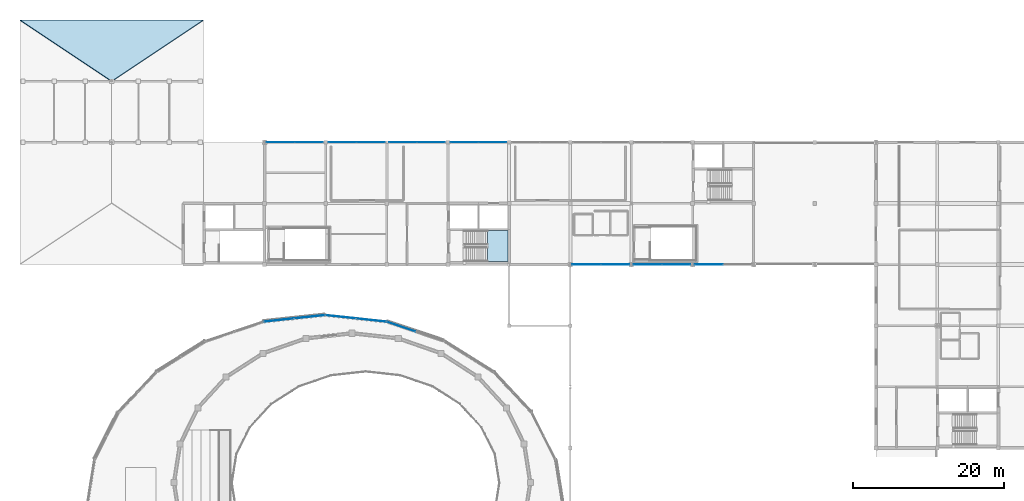
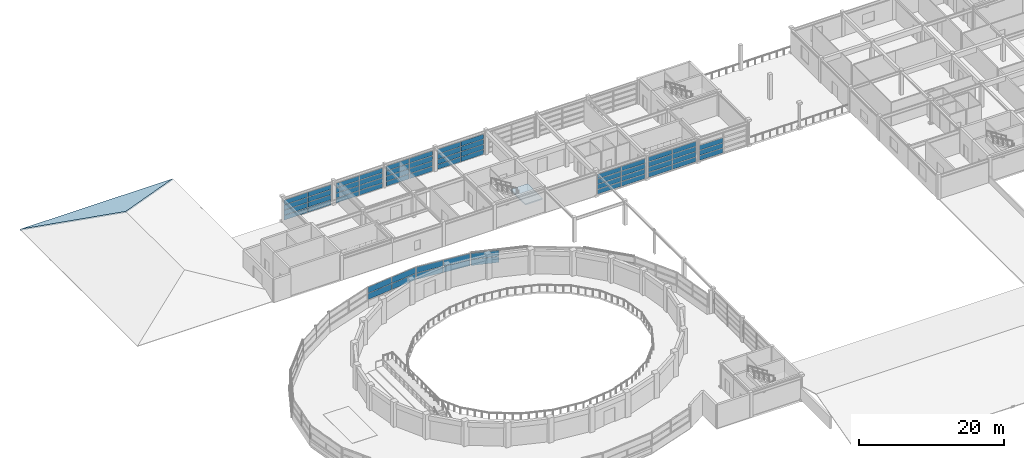
# One storey, part 37 of 54: 61 plates, 2 slabs, 11 elements without a shape of their own.
"""IFC4 building model written with IfcOpenShell, lengths in metres."""

from ifc_helpers import new_model, si_unit, direction, frame, origin, origin_2d, place, context, subcontext, project, spatial, polyline, rectangle, outline, extrude, material, layer, layer_set, type_object, element, aggregate, save


model = new_model("IFC4")

# Units and contexts
model_context = context("Model", 3, precision=1e-05, world=origin(), true_north=direction((0.0, 1.0)))
body_context = subcontext(model_context, "Body", "Model", "MODEL_VIEW")
ifc_project = project(units=[si_unit("LENGTHUNIT", "METRE"), si_unit("AREAUNIT", "SQUARE_METRE"), si_unit("VOLUMEUNIT", "CUBIC_METRE"), si_unit("PLANEANGLEUNIT", "RADIAN"), si_unit("MASSUNIT", "GRAM", prefix="KILO")], contexts=[model_context])

# Site, building, storey
site_placement = place(None, origin())
site = spatial("IfcSite", under=ifc_project, at=site_placement, CompositionType="ELEMENT")
building_placement = place(site_placement, origin())
building = spatial("IfcBuilding", under=site, at=building_placement, Name="Parian Resonance Hall", CompositionType="ELEMENT")
storey_placement = place(building_placement, frame((0.0, 0.0, 15.0)))
storey = spatial("IfcBuildingStorey", under=building, at=storey_placement, Name="L03", CompositionType="ELEMENT", Elevation=15.0)

# Curtain wall, plates
ifc_material_1 = material(Name="Bronze-anodised aluminium frame", Category="aluminium")
curtain_wall_type_1 = type_object("IfcCurtainWallType", Name="CW-SYS-01", PredefinedType="NOTDEFINED", material=ifc_material_1)
curtain_wall_1_placement = place(storey_placement, origin())
curtain_wall_1 = element("IfcCurtainWall", 1, at=curtain_wall_1_placement, inside=storey, type_object=curtain_wall_type_1, Name="Elliptical R3 recessed strip curtain wall 05", PredefinedType="NOTDEFINED")
ifc_material_2 = material(Name="Acoustic laminated double glazing", Category="glass")
ifc_layer_1 = layer(ifc_material_2, 0.02197265625)
ifc_layer_set_1 = layer_set([ifc_layer_1], Name="Acoustic laminated double glazing")
plate_type_1 = type_object("IfcPlateType", Name="CWP-IGU22", PredefinedType="CURTAIN_PANEL", material=ifc_layer_set_1)
plate_1_placement = place(storey_placement, frame((50.49951171875, 64.67138671875, 1.2568359375), z_axis=(0.0, 0.0, 1.0), x_axis=(0.947295844239, -0.320360084104, 0.0)))
plate_1 = element("IfcPlate", 2, at=plate_1_placement, type_object=plate_type_1, Name="CW-01 panel 1.1", PredefinedType="CURTAIN_PANEL", context=body_context, shape_type="SweptSolid", body=[
    extrude(rectangle(XDim=3.925048828125, YDim=0.02197265625, at=origin_2d()), origin(), (0.0, 0.0, 1.0), 1.010498046875),
])
plate_2_placement = place(storey_placement, frame((50.49951171875, 64.67138671875, 2.33251953125), z_axis=(0.0, 0.0, 1.0), x_axis=(0.947295844239, -0.320360084104, 0.0)))
plate_2 = element("IfcPlate", 3, at=plate_2_placement, type_object=plate_type_1, Name="CW-01 panel 1.2", PredefinedType="CURTAIN_PANEL", context=body_context, shape_type="SweptSolid", body=[
    extrude(rectangle(XDim=3.925048828125, YDim=0.02197265625, at=origin_2d()), origin(), (0.0, 0.0, 1.0), 1.012451171875),
])
aggregate(curtain_wall_1, [plate_1, plate_2])

ifc_material_3 = material(Name="Bronze-anodised aluminium frame", Category="aluminium")
curtain_wall_type_2 = type_object("IfcCurtainWallType", Name="CW-SYS-06", PredefinedType="NOTDEFINED", material=ifc_material_3)
curtain_wall_2_placement = place(storey_placement, origin())
curtain_wall_2 = element("IfcCurtainWall", 4, at=curtain_wall_2_placement, inside=storey, type_object=curtain_wall_type_2, Name="Curtain wall CW-L03-108", PredefinedType="NOTDEFINED")
plate_3_placement = place(storey_placement, frame((78.853759765625, 72.89990234375, 0.067138671875), z_axis=(0.0, 0.0, 1.0), x_axis=(-1.0, 0.0, 0.0)))
plate_3 = element("IfcPlate", 5, at=plate_3_placement, type_object=plate_type_1, Name="CW-06 panel 1.1", PredefinedType="CURTAIN_PANEL", context=body_context, shape_type="SweptSolid", body=[
    extrude(rectangle(XDim=3.732421875, YDim=0.02197265625, at=origin_2d()), origin(), (0.0, 0.0, 1.0), 0.7666015625),
])
plate_4_placement = place(storey_placement, frame((78.853759765625, 72.89990234375, 0.90869140625), z_axis=(0.0, 0.0, 1.0), x_axis=(-1.0, 0.0, 0.0)))
plate_4 = element("IfcPlate", 6, at=plate_4_placement, type_object=plate_type_1, Name="CW-06 panel 1.2", PredefinedType="CURTAIN_PANEL", context=body_context, shape_type="SweptSolid", body=[
    extrude(rectangle(XDim=3.732421875, YDim=0.02197265625, at=origin_2d()), origin(), (0.0, 0.0, 1.0), 0.79638671875),
])
plate_5_placement = place(storey_placement, frame((78.853759765625, 72.89990234375, 1.77978515625), z_axis=(0.0, 0.0, 1.0), x_axis=(-1.0, 0.0, 0.0)))
plate_5 = element("IfcPlate", 7, at=plate_5_placement, type_object=plate_type_1, Name="CW-06 panel 1.3", PredefinedType="CURTAIN_PANEL", context=body_context, shape_type="SweptSolid", body=[
    extrude(rectangle(XDim=3.732421875, YDim=0.02197265625, at=origin_2d()), origin(), (0.0, 0.0, 1.0), 0.796142578125),
])
plate_6_placement = place(storey_placement, frame((78.853759765625, 72.89990234375, 2.6513671875), z_axis=(0.0, 0.0, 1.0), x_axis=(-1.0, 0.0, 0.0)))
plate_6 = element("IfcPlate", 8, at=plate_6_placement, type_object=plate_type_1, Name="CW-06 panel 1.4", PredefinedType="CURTAIN_PANEL", context=body_context, shape_type="SweptSolid", body=[
    extrude(rectangle(XDim=3.732421875, YDim=0.02197265625, at=origin_2d()), origin(), (0.0, 0.0, 1.0), 0.768798828125),
])
plate_7_placement = place(storey_placement, frame((75.046142578125, 72.89990234375, 0.067138671875), z_axis=(0.0, 0.0, 1.0), x_axis=(-1.0, 0.0, 0.0)))
plate_7 = element("IfcPlate", 9, at=plate_7_placement, type_object=plate_type_1, Name="CW-06 panel 2.1", PredefinedType="CURTAIN_PANEL", context=body_context, shape_type="SweptSolid", body=[
    extrude(rectangle(XDim=3.732421875, YDim=0.02197265625, at=origin_2d()), origin(), (0.0, 0.0, 1.0), 0.7666015625),
])
plate_8_placement = place(storey_placement, frame((75.046142578125, 72.89990234375, 0.90869140625), z_axis=(0.0, 0.0, 1.0), x_axis=(-1.0, 0.0, 0.0)))
plate_8 = element("IfcPlate", 10, at=plate_8_placement, type_object=plate_type_1, Name="CW-06 panel 2.2", PredefinedType="CURTAIN_PANEL", context=body_context, shape_type="SweptSolid", body=[
    extrude(rectangle(XDim=3.732421875, YDim=0.02197265625, at=origin_2d()), origin(), (0.0, 0.0, 1.0), 0.79638671875),
])
plate_9_placement = place(storey_placement, frame((75.046142578125, 72.89990234375, 1.77978515625), z_axis=(0.0, 0.0, 1.0), x_axis=(-1.0, 0.0, 0.0)))
plate_9 = element("IfcPlate", 11, at=plate_9_placement, type_object=plate_type_1, Name="CW-06 panel 2.3", PredefinedType="CURTAIN_PANEL", context=body_context, shape_type="SweptSolid", body=[
    extrude(rectangle(XDim=3.732421875, YDim=0.02197265625, at=origin_2d()), origin(), (0.0, 0.0, 1.0), 0.796142578125),
])
plate_10_placement = place(storey_placement, frame((75.046142578125, 72.89990234375, 2.6513671875), z_axis=(0.0, 0.0, 1.0), x_axis=(-1.0, 0.0, 0.0)))
plate_10 = element("IfcPlate", 12, at=plate_10_placement, type_object=plate_type_1, Name="CW-06 panel 2.4", PredefinedType="CURTAIN_PANEL", context=body_context, shape_type="SweptSolid", body=[
    extrude(rectangle(XDim=3.732421875, YDim=0.02197265625, at=origin_2d()), origin(), (0.0, 0.0, 1.0), 0.768798828125),
])
aggregate(curtain_wall_2, [plate_3, plate_4, plate_5, plate_6, plate_7, plate_8, plate_9, plate_10])

curtain_wall_3_placement = place(storey_placement, origin())
curtain_wall_3 = element("IfcCurtainWall", 13, at=curtain_wall_3_placement, inside=storey, type_object=curtain_wall_type_1, Name="Curtain wall CW-L03-114", PredefinedType="NOTDEFINED")
plate_11_placement = place(storey_placement, frame((86.953857421875, 72.89990234375, 0.06689453125), z_axis=(0.0, 0.0, 1.0), x_axis=(-1.0, 0.0, 0.0)))
plate_11 = element("IfcPlate", 14, at=plate_11_placement, type_object=plate_type_1, Name="CW-01 panel 1.1", PredefinedType="CURTAIN_PANEL", context=body_context, shape_type="SweptSolid", body=[
    extrude(rectangle(XDim=3.732421875, YDim=0.02197265625, at=origin_2d()), origin(), (0.0, 0.0, 1.0), 0.77978515625),
])
plate_12_placement = place(storey_placement, frame((86.953857421875, 72.89990234375, 0.921875), z_axis=(0.0, 0.0, 1.0), x_axis=(-1.0, 0.0, 0.0)))
plate_12 = element("IfcPlate", 15, at=plate_12_placement, type_object=plate_type_1, Name="CW-01 panel 1.2", PredefinedType="CURTAIN_PANEL", context=body_context, shape_type="SweptSolid", body=[
    extrude(rectangle(XDim=3.732421875, YDim=0.02197265625, at=origin_2d()), origin(), (0.0, 0.0, 1.0), 0.809326171875),
])
plate_13_placement = place(storey_placement, frame((86.953857421875, 72.89990234375, 1.80615234375), z_axis=(0.0, 0.0, 1.0), x_axis=(-1.0, 0.0, 0.0)))
plate_13 = element("IfcPlate", 16, at=plate_13_placement, type_object=plate_type_1, Name="CW-01 panel 1.3", PredefinedType="CURTAIN_PANEL", context=body_context, shape_type="SweptSolid", body=[
    extrude(rectangle(XDim=3.732421875, YDim=0.02197265625, at=origin_2d()), origin(), (0.0, 0.0, 1.0), 0.80908203125),
])
plate_14_placement = place(storey_placement, frame((86.953857421875, 72.89990234375, 2.690185546875), z_axis=(0.0, 0.0, 1.0), x_axis=(-1.0, 0.0, 0.0)))
plate_14 = element("IfcPlate", 17, at=plate_14_placement, type_object=plate_type_1, Name="CW-01 panel 1.4", PredefinedType="CURTAIN_PANEL", context=body_context, shape_type="SweptSolid", body=[
    extrude(rectangle(XDim=3.732421875, YDim=0.02197265625, at=origin_2d()), origin(), (0.0, 0.0, 1.0), 0.78173828125),
])
plate_15_placement = place(storey_placement, frame((83.146240234375, 72.89990234375, 0.06689453125), z_axis=(0.0, 0.0, 1.0), x_axis=(-1.0, 0.0, 0.0)))
plate_15 = element("IfcPlate", 18, at=plate_15_placement, type_object=plate_type_1, Name="CW-01 panel 2.1", PredefinedType="CURTAIN_PANEL", context=body_context, shape_type="SweptSolid", body=[
    extrude(rectangle(XDim=3.732421875, YDim=0.02197265625, at=origin_2d()), origin(), (0.0, 0.0, 1.0), 0.77978515625),
])
plate_16_placement = place(storey_placement, frame((83.146240234375, 72.89990234375, 0.921875), z_axis=(0.0, 0.0, 1.0), x_axis=(-1.0, 0.0, 0.0)))
plate_16 = element("IfcPlate", 19, at=plate_16_placement, type_object=plate_type_1, Name="CW-01 panel 2.2", PredefinedType="CURTAIN_PANEL", context=body_context, shape_type="SweptSolid", body=[
    extrude(rectangle(XDim=3.732421875, YDim=0.02197265625, at=origin_2d()), origin(), (0.0, 0.0, 1.0), 0.809326171875),
])
plate_17_placement = place(storey_placement, frame((83.146240234375, 72.89990234375, 1.80615234375), z_axis=(0.0, 0.0, 1.0), x_axis=(-1.0, 0.0, 0.0)))
plate_17 = element("IfcPlate", 20, at=plate_17_placement, type_object=plate_type_1, Name="CW-01 panel 2.3", PredefinedType="CURTAIN_PANEL", context=body_context, shape_type="SweptSolid", body=[
    extrude(rectangle(XDim=3.732421875, YDim=0.02197265625, at=origin_2d()), origin(), (0.0, 0.0, 1.0), 0.80908203125),
])
plate_18_placement = place(storey_placement, frame((83.146240234375, 72.89990234375, 2.690185546875), z_axis=(0.0, 0.0, 1.0), x_axis=(-1.0, 0.0, 0.0)))
plate_18 = element("IfcPlate", 21, at=plate_18_placement, type_object=plate_type_1, Name="CW-01 panel 2.4", PredefinedType="CURTAIN_PANEL", context=body_context, shape_type="SweptSolid", body=[
    extrude(rectangle(XDim=3.732421875, YDim=0.02197265625, at=origin_2d()), origin(), (0.0, 0.0, 1.0), 0.78173828125),
])
aggregate(curtain_wall_3, [plate_11, plate_12, plate_13, plate_14, plate_15, plate_16, plate_17, plate_18])

ifc_material_4 = material(Name="Bronze-anodised aluminium frame", Category="aluminium")
curtain_wall_type_3 = type_object("IfcCurtainWallType", Name="CW-SYS-02", PredefinedType="NOTDEFINED", material=ifc_material_4)
curtain_wall_4_placement = place(storey_placement, origin())
curtain_wall_4 = element("IfcCurtainWall", 22, at=curtain_wall_4_placement, inside=storey, type_object=curtain_wall_type_3, Name="Curtain wall CW-L03-120", PredefinedType="NOTDEFINED")
plate_19_placement = place(storey_placement, frame((91.246337890625, 72.89990234375, 0.067138671875), z_axis=(0.0, 0.0, 1.0), x_axis=(-1.0, 0.0, 0.0)))
plate_19 = element("IfcPlate", 23, at=plate_19_placement, type_object=plate_type_1, Name="CW-02 panel 2.1", PredefinedType="CURTAIN_PANEL", context=body_context, shape_type="SweptSolid", body=[
    extrude(rectangle(XDim=3.732421875, YDim=0.02197265625, at=origin_2d()), origin(), (0.0, 0.0, 1.0), 0.7666015625),
])
plate_20_placement = place(storey_placement, frame((91.246337890625, 72.89990234375, 0.90869140625), z_axis=(0.0, 0.0, 1.0), x_axis=(-1.0, 0.0, 0.0)))
plate_20 = element("IfcPlate", 24, at=plate_20_placement, type_object=plate_type_1, Name="CW-02 panel 2.2", PredefinedType="CURTAIN_PANEL", context=body_context, shape_type="SweptSolid", body=[
    extrude(rectangle(XDim=3.732421875, YDim=0.02197265625, at=origin_2d()), origin(), (0.0, 0.0, 1.0), 0.79638671875),
])
plate_21_placement = place(storey_placement, frame((91.246337890625, 72.89990234375, 1.77978515625), z_axis=(0.0, 0.0, 1.0), x_axis=(-1.0, 0.0, 0.0)))
plate_21 = element("IfcPlate", 25, at=plate_21_placement, type_object=plate_type_1, Name="CW-02 panel 2.3", PredefinedType="CURTAIN_PANEL", context=body_context, shape_type="SweptSolid", body=[
    extrude(rectangle(XDim=3.732421875, YDim=0.02197265625, at=origin_2d()), origin(), (0.0, 0.0, 1.0), 0.796142578125),
])
aggregate(curtain_wall_4, [plate_19, plate_20, plate_21])

curtain_wall_5_placement = place(storey_placement, origin())
curtain_wall_5 = element("IfcCurtainWall", 26, at=curtain_wall_5_placement, inside=storey, type_object=curtain_wall_type_3, Name="Elliptical R3 recessed strip curtain wall 06", PredefinedType="NOTDEFINED")
ifc_material_5 = material(Name="Acoustic laminated double glazing", Category="glass")
ifc_layer_2 = layer(ifc_material_5, 0.031982421875)
ifc_layer_set_2 = layer_set([ifc_layer_2], Name="Acoustic laminated double glazing")
plate_type_2 = type_object("IfcPlateType", Name="CWP-IGU32", PredefinedType="CURTAIN_PANEL", material=ifc_layer_set_2)
plate_22_placement = place(storey_placement, frame((42.46337890625, 65.978271484375, 1.266845703125), z_axis=(0.0, 0.0, 1.0), x_axis=(0.994272901904, -0.106870934025, 0.0)))
plate_22 = element("IfcPlate", 27, at=plate_22_placement, type_object=plate_type_2, Name="CW-02 panel 1.1", PredefinedType="CURTAIN_PANEL", context=body_context, shape_type="SweptSolid", body=[
    extrude(rectangle(XDim=4.00048828125, YDim=0.031982421875, at=origin_2d()), origin(), (0.0, 0.0, 1.0), 0.99560546875),
])
plate_23_placement = place(storey_placement, frame((42.46337890625, 65.978271484375, 2.33740234375), z_axis=(0.0, 0.0, 1.0), x_axis=(0.994272901904, -0.106870934025, 0.0)))
plate_23 = element("IfcPlate", 28, at=plate_23_placement, type_object=plate_type_2, Name="CW-02 panel 1.2", PredefinedType="CURTAIN_PANEL", context=body_context, shape_type="SweptSolid", body=[
    extrude(rectangle(XDim=4.00048828125, YDim=0.031982421875, at=origin_2d()), origin(), (0.0, 0.0, 1.0), 0.99755859375),
])
plate_24_placement = place(storey_placement, frame((46.515380859375, 65.542724609375, 1.266845703125), z_axis=(0.0, 0.0, 1.0), x_axis=(0.994272901904, -0.106870934025, 0.0)))
plate_24 = element("IfcPlate", 29, at=plate_24_placement, type_object=plate_type_2, Name="CW-02 panel 2.1", PredefinedType="CURTAIN_PANEL", context=body_context, shape_type="SweptSolid", body=[
    extrude(rectangle(XDim=4.00048828125, YDim=0.031982421875, at=origin_2d()), origin(), (0.0, 0.0, 1.0), 0.99560546875),
])
plate_25_placement = place(storey_placement, frame((46.515380859375, 65.542724609375, 2.33740234375), z_axis=(0.0, 0.0, 1.0), x_axis=(0.994272901904, -0.106870934025, 0.0)))
plate_25 = element("IfcPlate", 30, at=plate_25_placement, type_object=plate_type_2, Name="CW-02 panel 2.2", PredefinedType="CURTAIN_PANEL", context=body_context, shape_type="SweptSolid", body=[
    extrude(rectangle(XDim=4.00048828125, YDim=0.031982421875, at=origin_2d()), origin(), (0.0, 0.0, 1.0), 0.99755859375),
])
aggregate(curtain_wall_5, [plate_22, plate_23, plate_24, plate_25])

curtain_wall_6_placement = place(storey_placement, origin())
curtain_wall_6 = element("IfcCurtainWall", 31, at=curtain_wall_6_placement, inside=storey, type_object=curtain_wall_type_1, Name="Curtain wall CW-L03-079", PredefinedType="NOTDEFINED")
plate_26_placement = place(storey_placement, frame((34.512451171875, 89.10009765625, 0.056884765625), z_axis=(0.0, 0.0, 1.0), x_axis=(1.0, 0.0, 0.0)))
plate_26 = element("IfcPlate", 32, at=plate_26_placement, type_object=plate_type_2, Name="CW-01 panel 1.1", PredefinedType="CURTAIN_PANEL", context=body_context, shape_type="SweptSolid", body=[
    extrude(rectangle(XDim=3.68505859375, YDim=0.031982421875, at=origin_2d()), origin(), (0.0, 0.0, 1.0), 0.7822265625),
])
plate_27_placement = place(storey_placement, frame((34.512451171875, 89.10009765625, 0.904296875), z_axis=(0.0, 0.0, 1.0), x_axis=(1.0, 0.0, 0.0)))
plate_27 = element("IfcPlate", 33, at=plate_27_placement, type_object=plate_type_2, Name="CW-01 panel 1.2", PredefinedType="CURTAIN_PANEL", context=body_context, shape_type="SweptSolid", body=[
    extrude(rectangle(XDim=3.68505859375, YDim=0.031982421875, at=origin_2d()), origin(), (0.0, 0.0, 1.0), 0.806884765625),
])
plate_28_placement = place(storey_placement, frame((34.512451171875, 89.10009765625, 1.776123046875), z_axis=(0.0, 0.0, 1.0), x_axis=(1.0, 0.0, 0.0)))
plate_28 = element("IfcPlate", 34, at=plate_28_placement, type_object=plate_type_2, Name="CW-01 panel 1.3", PredefinedType="CURTAIN_PANEL", context=body_context, shape_type="SweptSolid", body=[
    extrude(rectangle(XDim=3.68505859375, YDim=0.031982421875, at=origin_2d()), origin(), (0.0, 0.0, 1.0), 0.806640625),
])
plate_29_placement = place(storey_placement, frame((34.512451171875, 89.10009765625, 2.647705078125), z_axis=(0.0, 0.0, 1.0), x_axis=(1.0, 0.0, 0.0)))
plate_29 = element("IfcPlate", 35, at=plate_29_placement, type_object=plate_type_2, Name="CW-01 panel 1.4", PredefinedType="CURTAIN_PANEL", context=body_context, shape_type="SweptSolid", body=[
    extrude(rectangle(XDim=3.68505859375, YDim=0.031982421875, at=origin_2d()), origin(), (0.0, 0.0, 1.0), 0.7841796875),
])
plate_30_placement = place(storey_placement, frame((38.262451171875, 89.10009765625, 0.056884765625), z_axis=(0.0, 0.0, 1.0), x_axis=(1.0, 0.0, 0.0)))
plate_30 = element("IfcPlate", 36, at=plate_30_placement, type_object=plate_type_2, Name="CW-01 panel 2.1", PredefinedType="CURTAIN_PANEL", context=body_context, shape_type="SweptSolid", body=[
    extrude(rectangle(XDim=3.68505859375, YDim=0.031982421875, at=origin_2d()), origin(), (0.0, 0.0, 1.0), 0.7822265625),
])
plate_31_placement = place(storey_placement, frame((38.262451171875, 89.10009765625, 0.904296875), z_axis=(0.0, 0.0, 1.0), x_axis=(1.0, 0.0, 0.0)))
plate_31 = element("IfcPlate", 37, at=plate_31_placement, type_object=plate_type_2, Name="CW-01 panel 2.2", PredefinedType="CURTAIN_PANEL", context=body_context, shape_type="SweptSolid", body=[
    extrude(rectangle(XDim=3.68505859375, YDim=0.031982421875, at=origin_2d()), origin(), (0.0, 0.0, 1.0), 0.806884765625),
])
plate_32_placement = place(storey_placement, frame((38.262451171875, 89.10009765625, 1.776123046875), z_axis=(0.0, 0.0, 1.0), x_axis=(1.0, 0.0, 0.0)))
plate_32 = element("IfcPlate", 38, at=plate_32_placement, type_object=plate_type_2, Name="CW-01 panel 2.3", PredefinedType="CURTAIN_PANEL", context=body_context, shape_type="SweptSolid", body=[
    extrude(rectangle(XDim=3.68505859375, YDim=0.031982421875, at=origin_2d()), origin(), (0.0, 0.0, 1.0), 0.806640625),
])
plate_33_placement = place(storey_placement, frame((38.262451171875, 89.10009765625, 2.647705078125), z_axis=(0.0, 0.0, 1.0), x_axis=(1.0, 0.0, 0.0)))
plate_33 = element("IfcPlate", 39, at=plate_33_placement, type_object=plate_type_2, Name="CW-01 panel 2.4", PredefinedType="CURTAIN_PANEL", context=body_context, shape_type="SweptSolid", body=[
    extrude(rectangle(XDim=3.68505859375, YDim=0.031982421875, at=origin_2d()), origin(), (0.0, 0.0, 1.0), 0.7841796875),
])
aggregate(curtain_wall_6, [plate_26, plate_27, plate_28, plate_29, plate_30, plate_31, plate_32, plate_33])

curtain_wall_7_placement = place(storey_placement, origin())
curtain_wall_7 = element("IfcCurtainWall", 40, at=curtain_wall_7_placement, inside=storey, type_object=curtain_wall_type_3, Name="Curtain wall CW-L03-082", PredefinedType="NOTDEFINED")
plate_34_placement = place(storey_placement, frame((42.733154296875, 89.10009765625, 0.06689453125), z_axis=(0.0, 0.0, 1.0), x_axis=(1.0, 0.0, 0.0)))
plate_34 = element("IfcPlate", 41, at=plate_34_placement, type_object=plate_type_2, Name="CW-02 panel 1.1", PredefinedType="CURTAIN_PANEL", context=body_context, shape_type="SweptSolid", body=[
    extrude(rectangle(XDim=3.65625, YDim=0.031982421875, at=origin_2d()), origin(), (0.0, 0.0, 1.0), 0.75439453125),
])
plate_35_placement = place(storey_placement, frame((42.733154296875, 89.10009765625, 0.896240234375), z_axis=(0.0, 0.0, 1.0), x_axis=(1.0, 0.0, 0.0)))
plate_35 = element("IfcPlate", 42, at=plate_35_placement, type_object=plate_type_2, Name="CW-02 panel 1.2", PredefinedType="CURTAIN_PANEL", context=body_context, shape_type="SweptSolid", body=[
    extrude(rectangle(XDim=3.65625, YDim=0.031982421875, at=origin_2d()), origin(), (0.0, 0.0, 1.0), 0.78369140625),
])
plate_36_placement = place(storey_placement, frame((42.733154296875, 89.10009765625, 1.7548828125), z_axis=(0.0, 0.0, 1.0), x_axis=(1.0, 0.0, 0.0)))
plate_36 = element("IfcPlate", 43, at=plate_36_placement, type_object=plate_type_2, Name="CW-02 panel 1.3", PredefinedType="CURTAIN_PANEL", context=body_context, shape_type="SweptSolid", body=[
    extrude(rectangle(XDim=3.65625, YDim=0.031982421875, at=origin_2d()), origin(), (0.0, 0.0, 1.0), 0.78369140625),
])
plate_37_placement = place(storey_placement, frame((42.733154296875, 89.10009765625, 2.61376953125), z_axis=(0.0, 0.0, 1.0), x_axis=(1.0, 0.0, 0.0)))
plate_37 = element("IfcPlate", 44, at=plate_37_placement, type_object=plate_type_2, Name="CW-02 panel 1.4", PredefinedType="CURTAIN_PANEL", context=body_context, shape_type="SweptSolid", body=[
    extrude(rectangle(XDim=3.65625, YDim=0.031982421875, at=origin_2d()), origin(), (0.0, 0.0, 1.0), 0.75634765625),
])
plate_38_placement = place(storey_placement, frame((46.46435546875, 89.10009765625, 0.06689453125), z_axis=(0.0, 0.0, 1.0), x_axis=(1.0, 0.0, 0.0)))
plate_38 = element("IfcPlate", 45, at=plate_38_placement, type_object=plate_type_2, Name="CW-02 panel 2.1", PredefinedType="CURTAIN_PANEL", context=body_context, shape_type="SweptSolid", body=[
    extrude(rectangle(XDim=3.65625, YDim=0.031982421875, at=origin_2d()), origin(), (0.0, 0.0, 1.0), 0.75439453125),
])
plate_39_placement = place(storey_placement, frame((46.46435546875, 89.10009765625, 0.896240234375), z_axis=(0.0, 0.0, 1.0), x_axis=(1.0, 0.0, 0.0)))
plate_39 = element("IfcPlate", 46, at=plate_39_placement, type_object=plate_type_2, Name="CW-02 panel 2.2", PredefinedType="CURTAIN_PANEL", context=body_context, shape_type="SweptSolid", body=[
    extrude(rectangle(XDim=3.65625, YDim=0.031982421875, at=origin_2d()), origin(), (0.0, 0.0, 1.0), 0.78369140625),
])
plate_40_placement = place(storey_placement, frame((46.46435546875, 89.10009765625, 1.7548828125), z_axis=(0.0, 0.0, 1.0), x_axis=(1.0, 0.0, 0.0)))
plate_40 = element("IfcPlate", 47, at=plate_40_placement, type_object=plate_type_2, Name="CW-02 panel 2.3", PredefinedType="CURTAIN_PANEL", context=body_context, shape_type="SweptSolid", body=[
    extrude(rectangle(XDim=3.65625, YDim=0.031982421875, at=origin_2d()), origin(), (0.0, 0.0, 1.0), 0.78369140625),
])
plate_41_placement = place(storey_placement, frame((46.46435546875, 89.10009765625, 2.61376953125), z_axis=(0.0, 0.0, 1.0), x_axis=(1.0, 0.0, 0.0)))
plate_41 = element("IfcPlate", 48, at=plate_41_placement, type_object=plate_type_2, Name="CW-02 panel 2.4", PredefinedType="CURTAIN_PANEL", context=body_context, shape_type="SweptSolid", body=[
    extrude(rectangle(XDim=3.65625, YDim=0.031982421875, at=origin_2d()), origin(), (0.0, 0.0, 1.0), 0.75634765625),
])
aggregate(curtain_wall_7, [plate_34, plate_35, plate_36, plate_37, plate_38, plate_39, plate_40, plate_41])

ifc_material_6 = material(Name="Bronze-anodised aluminium frame", Category="aluminium")
curtain_wall_type_4 = type_object("IfcCurtainWallType", Name="CW-SYS-03", PredefinedType="NOTDEFINED", material=ifc_material_6)
curtain_wall_8_placement = place(storey_placement, origin())
curtain_wall_8 = element("IfcCurtainWall", 49, at=curtain_wall_8_placement, inside=storey, type_object=curtain_wall_type_4, Name="Elliptical R3 recessed strip curtain wall 07", PredefinedType="NOTDEFINED")
ifc_material_7 = material(Name="Acoustic laminated double glazing", Category="glass")
ifc_layer_3 = layer(ifc_material_7, 0.0419921875)
ifc_layer_set_3 = layer_set([ifc_layer_3], Name="Acoustic laminated double glazing")
plate_type_3 = type_object("IfcPlateType", Name="CWP-IGU42", PredefinedType="CURTAIN_PANEL", material=ifc_layer_set_3)
plate_42_placement = place(storey_placement, frame((34.2822265625, 65.54248046875, 1.2568359375), z_axis=(0.0, 0.0, 1.0), x_axis=(0.994272901904, 0.106870934025, 0.0)))
plate_42 = element("IfcPlate", 50, at=plate_42_placement, type_object=plate_type_3, Name="CW-03 panel 1.1", PredefinedType="CURTAIN_PANEL", context=body_context, shape_type="SweptSolid", body=[
    extrude(rectangle(XDim=4.015380859375, YDim=0.0419921875, at=origin_2d()), origin(), (0.0, 0.0, 1.0), 1.010498046875),
])
plate_43_placement = place(storey_placement, frame((34.2822265625, 65.54248046875, 2.33251953125), z_axis=(0.0, 0.0, 1.0), x_axis=(0.994272901904, 0.106870934025, 0.0)))
plate_43 = element("IfcPlate", 51, at=plate_43_placement, type_object=plate_type_3, Name="CW-03 panel 1.2", PredefinedType="CURTAIN_PANEL", context=body_context, shape_type="SweptSolid", body=[
    extrude(rectangle(XDim=4.015380859375, YDim=0.0419921875, at=origin_2d()), origin(), (0.0, 0.0, 1.0), 1.012451171875),
])
plate_44_placement = place(storey_placement, frame((38.339111328125, 65.978515625, 1.2568359375), z_axis=(0.0, 0.0, 1.0), x_axis=(0.994272901904, 0.106870934025, 0.0)))
plate_44 = element("IfcPlate", 52, at=plate_44_placement, type_object=plate_type_3, Name="CW-03 panel 2.1", PredefinedType="CURTAIN_PANEL", context=body_context, shape_type="SweptSolid", body=[
    extrude(rectangle(XDim=4.015380859375, YDim=0.0419921875, at=origin_2d()), origin(), (0.0, 0.0, 1.0), 1.010498046875),
])
plate_45_placement = place(storey_placement, frame((38.339111328125, 65.978515625, 2.33251953125), z_axis=(0.0, 0.0, 1.0), x_axis=(0.994272901904, 0.106870934025, 0.0)))
plate_45 = element("IfcPlate", 53, at=plate_45_placement, type_object=plate_type_3, Name="CW-03 panel 2.2", PredefinedType="CURTAIN_PANEL", context=body_context, shape_type="SweptSolid", body=[
    extrude(rectangle(XDim=4.015380859375, YDim=0.0419921875, at=origin_2d()), origin(), (0.0, 0.0, 1.0), 1.012451171875),
])
aggregate(curtain_wall_8, [plate_42, plate_43, plate_44, plate_45])

curtain_wall_9_placement = place(storey_placement, origin())
curtain_wall_9 = element("IfcCurtainWall", 54, at=curtain_wall_9_placement, inside=storey, type_object=curtain_wall_type_4, Name="Curtain wall CW-L03-086", PredefinedType="NOTDEFINED")
plate_46_placement = place(storey_placement, frame((50.735595703125, 89.10009765625, 0.06689453125), z_axis=(0.0, 0.0, 1.0), x_axis=(1.0, 0.0, 0.0)))
plate_46 = element("IfcPlate", 55, at=plate_46_placement, type_object=plate_type_3, Name="CW-03 panel 1.1", PredefinedType="CURTAIN_PANEL", context=body_context, shape_type="SweptSolid", body=[
    extrude(rectangle(XDim=3.65625, YDim=0.0419921875, at=origin_2d()), origin(), (0.0, 0.0, 1.0), 0.77978515625),
])
plate_47_placement = place(storey_placement, frame((50.735595703125, 89.10009765625, 0.921875), z_axis=(0.0, 0.0, 1.0), x_axis=(1.0, 0.0, 0.0)))
plate_47 = element("IfcPlate", 56, at=plate_47_placement, type_object=plate_type_3, Name="CW-03 panel 1.2", PredefinedType="CURTAIN_PANEL", context=body_context, shape_type="SweptSolid", body=[
    extrude(rectangle(XDim=3.65625, YDim=0.0419921875, at=origin_2d()), origin(), (0.0, 0.0, 1.0), 0.809326171875),
])
plate_48_placement = place(storey_placement, frame((50.735595703125, 89.10009765625, 1.80615234375), z_axis=(0.0, 0.0, 1.0), x_axis=(1.0, 0.0, 0.0)))
plate_48 = element("IfcPlate", 57, at=plate_48_placement, type_object=plate_type_3, Name="CW-03 panel 1.3", PredefinedType="CURTAIN_PANEL", context=body_context, shape_type="SweptSolid", body=[
    extrude(rectangle(XDim=3.65625, YDim=0.0419921875, at=origin_2d()), origin(), (0.0, 0.0, 1.0), 0.80908203125),
])
plate_49_placement = place(storey_placement, frame((50.735595703125, 89.10009765625, 2.690185546875), z_axis=(0.0, 0.0, 1.0), x_axis=(1.0, 0.0, 0.0)))
plate_49 = element("IfcPlate", 58, at=plate_49_placement, type_object=plate_type_3, Name="CW-03 panel 1.4", PredefinedType="CURTAIN_PANEL", context=body_context, shape_type="SweptSolid", body=[
    extrude(rectangle(XDim=3.65625, YDim=0.0419921875, at=origin_2d()), origin(), (0.0, 0.0, 1.0), 0.78173828125),
])
plate_50_placement = place(storey_placement, frame((54.466796875, 89.10009765625, 0.06689453125), z_axis=(0.0, 0.0, 1.0), x_axis=(1.0, 0.0, 0.0)))
plate_50 = element("IfcPlate", 59, at=plate_50_placement, type_object=plate_type_3, Name="CW-03 panel 2.1", PredefinedType="CURTAIN_PANEL", context=body_context, shape_type="SweptSolid", body=[
    extrude(rectangle(XDim=3.65625, YDim=0.0419921875, at=origin_2d()), origin(), (0.0, 0.0, 1.0), 0.77978515625),
])
plate_51_placement = place(storey_placement, frame((54.466796875, 89.10009765625, 0.921875), z_axis=(0.0, 0.0, 1.0), x_axis=(1.0, 0.0, 0.0)))
plate_51 = element("IfcPlate", 60, at=plate_51_placement, type_object=plate_type_3, Name="CW-03 panel 2.2", PredefinedType="CURTAIN_PANEL", context=body_context, shape_type="SweptSolid", body=[
    extrude(rectangle(XDim=3.65625, YDim=0.0419921875, at=origin_2d()), origin(), (0.0, 0.0, 1.0), 0.809326171875),
])
plate_52_placement = place(storey_placement, frame((54.466796875, 89.10009765625, 1.80615234375), z_axis=(0.0, 0.0, 1.0), x_axis=(1.0, 0.0, 0.0)))
plate_52 = element("IfcPlate", 61, at=plate_52_placement, type_object=plate_type_3, Name="CW-03 panel 2.3", PredefinedType="CURTAIN_PANEL", context=body_context, shape_type="SweptSolid", body=[
    extrude(rectangle(XDim=3.65625, YDim=0.0419921875, at=origin_2d()), origin(), (0.0, 0.0, 1.0), 0.80908203125),
])
plate_53_placement = place(storey_placement, frame((54.466796875, 89.10009765625, 2.690185546875), z_axis=(0.0, 0.0, 1.0), x_axis=(1.0, 0.0, 0.0)))
plate_53 = element("IfcPlate", 62, at=plate_53_placement, type_object=plate_type_3, Name="CW-03 panel 2.4", PredefinedType="CURTAIN_PANEL", context=body_context, shape_type="SweptSolid", body=[
    extrude(rectangle(XDim=3.65625, YDim=0.0419921875, at=origin_2d()), origin(), (0.0, 0.0, 1.0), 0.78173828125),
])
aggregate(curtain_wall_9, [plate_46, plate_47, plate_48, plate_49, plate_50, plate_51, plate_52, plate_53])

ifc_material_8 = material(Name="Bronze-anodised aluminium frame", Category="aluminium")
curtain_wall_type_5 = type_object("IfcCurtainWallType", Name="CW-SYS-04", PredefinedType="NOTDEFINED", material=ifc_material_8)
curtain_wall_10_placement = place(storey_placement, origin())
curtain_wall_10 = element("IfcCurtainWall", 63, at=curtain_wall_10_placement, inside=storey, type_object=curtain_wall_type_5, Name="Curtain wall CW-L03-089", PredefinedType="NOTDEFINED")
plate_54_placement = place(storey_placement, frame((58.90625, 89.10009765625, 0.056884765625), z_axis=(0.0, 0.0, 1.0), x_axis=(1.0, 0.0, 0.0)))
plate_54 = element("IfcPlate", 64, at=plate_54_placement, type_object=plate_type_3, Name="CW-04 panel 1.1", PredefinedType="CURTAIN_PANEL", context=body_context, shape_type="SweptSolid", body=[
    extrude(rectangle(XDim=3.62255859375, YDim=0.0419921875, at=origin_2d()), origin(), (0.0, 0.0, 1.0), 0.78173828125),
])
plate_55_placement = place(storey_placement, frame((58.90625, 89.10009765625, 0.90380859375), z_axis=(0.0, 0.0, 1.0), x_axis=(1.0, 0.0, 0.0)))
plate_55 = element("IfcPlate", 65, at=plate_55_placement, type_object=plate_type_3, Name="CW-04 panel 1.2", PredefinedType="CURTAIN_PANEL", context=body_context, shape_type="SweptSolid", body=[
    extrude(rectangle(XDim=3.62255859375, YDim=0.0419921875, at=origin_2d()), origin(), (0.0, 0.0, 1.0), 0.806396484375),
])
plate_56_placement = place(storey_placement, frame((58.90625, 89.10009765625, 1.77490234375), z_axis=(0.0, 0.0, 1.0), x_axis=(1.0, 0.0, 0.0)))
plate_56 = element("IfcPlate", 66, at=plate_56_placement, type_object=plate_type_3, Name="CW-04 panel 1.3", PredefinedType="CURTAIN_PANEL", context=body_context, shape_type="SweptSolid", body=[
    extrude(rectangle(XDim=3.62255859375, YDim=0.0419921875, at=origin_2d()), origin(), (0.0, 0.0, 1.0), 0.80615234375),
])
plate_57_placement = place(storey_placement, frame((58.90625, 89.10009765625, 2.646240234375), z_axis=(0.0, 0.0, 1.0), x_axis=(1.0, 0.0, 0.0)))
plate_57 = element("IfcPlate", 67, at=plate_57_placement, type_object=plate_type_3, Name="CW-04 panel 1.4", PredefinedType="CURTAIN_PANEL", context=body_context, shape_type="SweptSolid", body=[
    extrude(rectangle(XDim=3.62255859375, YDim=0.0419921875, at=origin_2d()), origin(), (0.0, 0.0, 1.0), 0.78369140625),
])
plate_58_placement = place(storey_placement, frame((62.59375, 89.10009765625, 0.056884765625), z_axis=(0.0, 0.0, 1.0), x_axis=(1.0, 0.0, 0.0)))
plate_58 = element("IfcPlate", 68, at=plate_58_placement, type_object=plate_type_3, Name="CW-04 panel 2.1", PredefinedType="CURTAIN_PANEL", context=body_context, shape_type="SweptSolid", body=[
    extrude(rectangle(XDim=3.62255859375, YDim=0.0419921875, at=origin_2d()), origin(), (0.0, 0.0, 1.0), 0.78173828125),
])
plate_59_placement = place(storey_placement, frame((62.59375, 89.10009765625, 0.90380859375), z_axis=(0.0, 0.0, 1.0), x_axis=(1.0, 0.0, 0.0)))
plate_59 = element("IfcPlate", 69, at=plate_59_placement, type_object=plate_type_3, Name="CW-04 panel 2.2", PredefinedType="CURTAIN_PANEL", context=body_context, shape_type="SweptSolid", body=[
    extrude(rectangle(XDim=3.62255859375, YDim=0.0419921875, at=origin_2d()), origin(), (0.0, 0.0, 1.0), 0.806396484375),
])
plate_60_placement = place(storey_placement, frame((62.59375, 89.10009765625, 1.77490234375), z_axis=(0.0, 0.0, 1.0), x_axis=(1.0, 0.0, 0.0)))
plate_60 = element("IfcPlate", 70, at=plate_60_placement, type_object=plate_type_3, Name="CW-04 panel 2.3", PredefinedType="CURTAIN_PANEL", context=body_context, shape_type="SweptSolid", body=[
    extrude(rectangle(XDim=3.62255859375, YDim=0.0419921875, at=origin_2d()), origin(), (0.0, 0.0, 1.0), 0.80615234375),
])
plate_61_placement = place(storey_placement, frame((62.59375, 89.10009765625, 2.646240234375), z_axis=(0.0, 0.0, 1.0), x_axis=(1.0, 0.0, 0.0)))
plate_61 = element("IfcPlate", 71, at=plate_61_placement, type_object=plate_type_3, Name="CW-04 panel 2.4", PredefinedType="CURTAIN_PANEL", context=body_context, shape_type="SweptSolid", body=[
    extrude(rectangle(XDim=3.62255859375, YDim=0.0419921875, at=origin_2d()), origin(), (0.0, 0.0, 1.0), 0.78369140625),
])
aggregate(curtain_wall_10, [plate_54, plate_55, plate_56, plate_57, plate_58, plate_59, plate_60, plate_61])

# Stair, slab
ifc_material_9 = material(Name="Concrete C40/50", Category="concrete")
stair_type = type_object("IfcStairType", Name="STAIR-CORE-1850", PredefinedType="HALF_TURN_STAIR", material=ifc_material_9)
stair_placement = place(storey_placement, origin())
stair = element("IfcStair", 72, at=stair_placement, inside=storey, type_object=stair_type, Name="L03 ST-01", PredefinedType="HALF_TURN_STAIR")
ifc_material_10 = material(Name="Concrete C40/50", Category="concrete")
ifc_layer_4 = layer(ifc_material_10, 0.199951171875)
ifc_layer_set_4 = layer_set([ifc_layer_4], Name="Concrete C40/50")
slab_type_1 = type_object("IfcSlabType", Name="SLB-LANDING-200", PredefinedType="LANDING", material=ifc_layer_set_4)
slab_1_placement = place(storey_placement, frame((0.0, 0.0, 1.89990234375)))
slab_1 = element("IfcSlab", 73, at=slab_1_placement, type_object=slab_type_1, Name="ST-01 landing 1", PredefinedType="LANDING", context=body_context, shape_type="SweptSolid", body=[
    extrude(outline(polyline([(61.919921875, 73.300048828125), (64.659912109375, 73.300048828125), (64.659912109375, 77.39990234375), (61.919921875, 77.39990234375), (61.919921875, 73.300048828125)])), origin(), (0.0, 0.0, 1.0), 0.2001953125),
])
aggregate(stair, [slab_1])

# Slab
ifc_material_11 = material(Name="Concrete C35/45", Category="concrete")
ifc_layer_5 = layer(ifc_material_11, 0.18994140625)
ifc_layer_set_5 = layer_set([ifc_layer_5], Name="Concrete C35/45")
slab_type_2 = type_object("IfcSlabType", Name="SLB-ROOF-190", PredefinedType="ROOF", material=ifc_layer_set_5)
slab_2_placement = place(storey_placement, frame((24.300048828125, 105.300048828125, 0.139892578125), z_axis=(0.0, 0.411778053151, 0.911284168053), x_axis=(-1.0, 0.0, 0.0)))
element("IfcSlab", 74, at=slab_2_placement, inside=storey, type_object=slab_type_2, Name="Chamber Music Hall hipped acoustic roof ROOF-L03-V2-N", PredefinedType="ROOF", context=body_context, shape_type="SweptSolid", body=[
    extrude(outline(polyline([(0.0, 0.0), (24.300048828125, 0.0), (12.150146484375, 8.888662768673408), (0.0, 0.0)])), origin(), (0.0, 0.0, -1.0), 0.18994140625),
])

save(model, "model.ifc")
